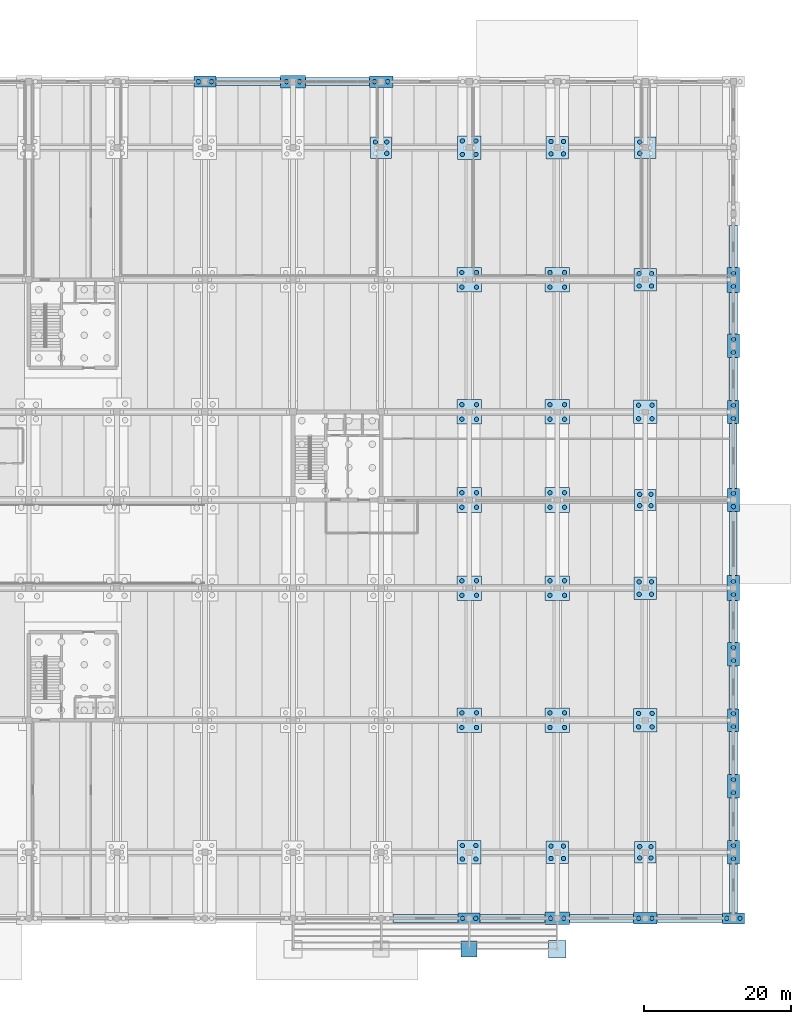
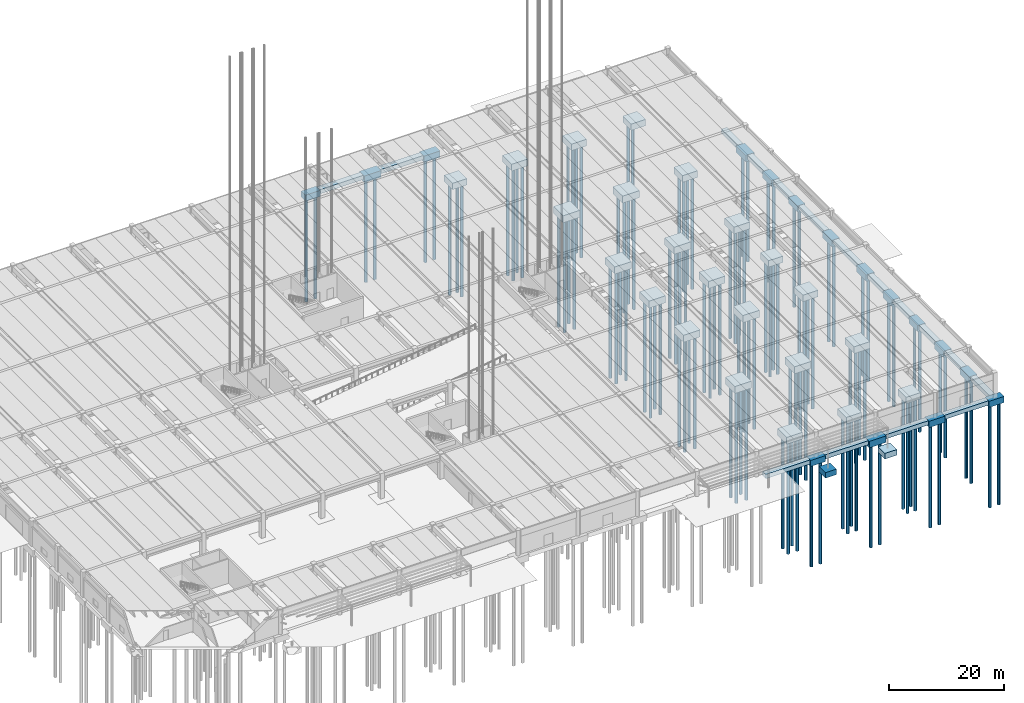
# One storey, part 4 of 59: 117 piles, 56 footings.
"""IFC4 building model written with IfcOpenShell, lengths in metres."""

from ifc_helpers import new_model, si_unit, direction, frame, origin, origin_2d, place, context, subcontext, project, spatial, rectangle, circle, extrude, material, material_profile, profile_set, type_object, element, save


model = new_model("IFC4")

# Units and contexts
model_context = context("Model", 3, precision=1e-05, world=origin(), true_north=direction((0.0, 1.0)))
body_context = subcontext(model_context, "Body", "Model", "MODEL_VIEW")
ifc_project = project(units=[si_unit("LENGTHUNIT", "METRE"), si_unit("AREAUNIT", "SQUARE_METRE"), si_unit("VOLUMEUNIT", "CUBIC_METRE"), si_unit("PLANEANGLEUNIT", "RADIAN"), si_unit("MASSUNIT", "GRAM", prefix="KILO")], contexts=[model_context])

# Site, building, storey
site_placement = place(None, origin())
site = spatial("IfcSite", under=ifc_project, at=site_placement, CompositionType="ELEMENT")
building_placement = place(site_placement, origin())
building = spatial("IfcBuilding", under=site, at=building_placement, Name="Girod Span Mobility Hub", CompositionType="ELEMENT")
storey_placement = place(building_placement, origin())
storey = spatial("IfcBuildingStorey", under=building, at=storey_placement, Name="L00", CompositionType="ELEMENT", Elevation=0.0)

# Footings
ifc_material_1 = material(Name="Concrete C40/50", Category="concrete")
footing_type_1 = type_object("IfcFootingType", Name="FT-PAD-2200", PredefinedType="PAD_FOOTING", material=ifc_material_1)
footing_1_placement = place(storey_placement, frame((132.0, -4.199951171875, -1.14990234375), z_axis=(0.0, 0.0, 1.0), x_axis=(1.0, 0.0, 0.0)))
element("IfcFooting", 1, at=footing_1_placement, inside=storey, type_object=footing_type_1, Name="Boulevard Canopy Pad Footing 7", PredefinedType="PAD_FOOTING", context=body_context, shape_type="SweptSolid", body=[
    extrude(rectangle(XDim=2.199951171875, YDim=2.199951171875, at=origin_2d()), origin(), (0.0, 0.0, 1.0), 1.14990234375),
])
ifc_material_2 = material(Name="Concrete C40/50", Category="concrete")
footing_type_2 = type_object("IfcFootingType", Name="FT-PAD-2400", PredefinedType="PAD_FOOTING", material=ifc_material_2)
footing_2_placement = place(storey_placement, frame((144.0, -4.199951171875, -1.2001953125), z_axis=(0.0, 0.0, 1.0), x_axis=(1.0, 0.0, 0.0)))
element("IfcFooting", 2, at=footing_2_placement, inside=storey, type_object=footing_type_2, Name="Boulevard Canopy Pad Footing 8", PredefinedType="PAD_FOOTING", context=body_context, shape_type="SweptSolid", body=[
    extrude(rectangle(XDim=2.39990234375, YDim=2.39990234375, at=origin_2d()), origin(), (0.0, 0.0, 1.0), 1.199951171875),
])
ifc_material_3 = material(Name="Concrete C40/50", Category="concrete")
footing_type_3 = type_object("IfcFootingType", Name="FT-PC2-1550X3100", PredefinedType="PILE_CAP", material=ifc_material_3)
for number, where, z_axis, x_axis, name in (
    (3, (168.0, 27.0, -1.2998046875), (0.0, 0.0, 1.0), (1.0, 0.0, 0.0), "Pile Cap 15C"),
    (4, (168.0, 69.0, -1.2998046875), (0.0, 0.0, 1.0), (1.0, 0.0, 0.0), "Pile Cap 15F"),
):
    element("IfcFooting", number, at=place(storey_placement, frame(where, z_axis=z_axis, x_axis=x_axis)), inside=storey, type_object=footing_type_3, Name=name, PredefinedType="PILE_CAP", context=body_context, shape_type="SweptSolid", body=[
        extrude(rectangle(XDim=1.550048828125, YDim=3.10009765625, at=origin_2d()), origin(), (0.0, 0.0, 1.0), 1.300048828125),
    ])
ifc_material_4 = material(Name="Concrete C40/50", Category="concrete")
footing_type_4 = type_object("IfcFootingType", Name="FT-PC2-1600X3200", PredefinedType="PILE_CAP", material=ifc_material_4)
for number, where, z_axis, x_axis, name in (
    (5, (168.0, 9.0, -1.35009765625), (0.0, 0.0, 1.0), (1.0, 0.0, 0.0), "Pile Cap 15B"),
    (6, (168.0, 57.0, -1.35009765625), (0.0, 0.0, 1.0), (1.0, 0.0, 0.0), "Pile Cap 15E"),
    (7, (168.0, 18.0, -1.35009765625), (0.0, 0.0, 1.0), (1.0, 0.0, 0.0), "Pilaster Pile Cap PIL-E-18"),
    (8, (168.0, 36.0, -1.35009765625), (0.0, 0.0, 1.0), (1.0, 0.0, 0.0), "Pilaster Pile Cap PIL-E-36"),
    (9, (168.0, 78.0, -1.35009765625), (0.0, 0.0, 1.0), (1.0, 0.0, 0.0), "Pilaster Pile Cap PIL-E-78"),
):
    element("IfcFooting", number, at=place(storey_placement, frame(where, z_axis=z_axis, x_axis=x_axis)), inside=storey, type_object=footing_type_4, Name=name, PredefinedType="PILE_CAP", context=body_context, shape_type="SweptSolid", body=[
        extrude(rectangle(XDim=1.60009765625, YDim=3.199951171875, at=origin_2d()), origin(), (0.0, 0.0, 1.0), 1.35009765625),
    ])
ifc_material_5 = material(Name="Concrete C40/50", Category="concrete")
footing_type_5 = type_object("IfcFootingType", Name="FT-PC2-1700X3400", PredefinedType="PILE_CAP", material=ifc_material_5)
for number, where, z_axis, x_axis, name in (
    (10, (168.0, 45.0, -1.39990234375), (0.0, 0.0, 1.0), (1.0, 0.0, 0.0), "Pile Cap 15D"),
    (11, (168.0, 87.0, -1.39990234375), (0.0, 0.0, 1.0), (1.0, 0.0, 0.0), "Pile Cap 15G"),
):
    element("IfcFooting", number, at=place(storey_placement, frame(where, z_axis=z_axis, x_axis=x_axis)), inside=storey, type_object=footing_type_5, Name=name, PredefinedType="PILE_CAP", context=body_context, shape_type="SweptSolid", body=[
        extrude(rectangle(XDim=1.699951171875, YDim=3.39990234375, at=origin_2d()), origin(), (0.0, 0.0, 1.0), 1.39990234375),
    ])
ifc_material_6 = material(Name="Concrete C40/50", Category="concrete")
footing_type_6 = type_object("IfcFootingType", Name="FT-PC2-3000X1500", PredefinedType="PILE_CAP", material=ifc_material_6)
for number, where, z_axis, x_axis, name in (
    (12, (96.0, 114.0, -1.2998046875), (0.0, 0.0, 1.0), (1.0, 0.0, 0.0), "Pile Cap 9J"),
    (13, (132.0, 0.0, -1.2998046875), (0.0, 0.0, 1.0), (1.0, 0.0, 0.0), "Pile Cap 12A"),
    (14, (168.0, 0.0, -1.2998046875), (0.0, 0.0, 1.0), (1.0, 0.0, 0.0), "Pile Cap 15A"),
):
    element("IfcFooting", number, at=place(storey_placement, frame(where, z_axis=z_axis, x_axis=x_axis)), inside=storey, type_object=footing_type_6, Name=name, PredefinedType="PILE_CAP", context=body_context, shape_type="SweptSolid", body=[
        extrude(rectangle(XDim=3.0, YDim=1.5, at=origin_2d()), origin(), (0.0, 0.0, 1.0), 1.300048828125),
    ])
ifc_material_7 = material(Name="Concrete C40/50", Category="concrete")
footing_type_7 = type_object("IfcFootingType", Name="FT-PC2-3200X1600", PredefinedType="PILE_CAP", material=ifc_material_7)
for number, where, z_axis, x_axis, name in (
    (15, (120.0, 114.0, -1.35009765625), (0.0, 0.0, 1.0), (1.0, 0.0, 0.0), "Pile Cap 11J"),
    (16, (156.0, 0.0, -1.35009765625), (0.0, 0.0, 1.0), (1.0, 0.0, 0.0), "Pile Cap 14A"),
):
    element("IfcFooting", number, at=place(storey_placement, frame(where, z_axis=z_axis, x_axis=x_axis)), inside=storey, type_object=footing_type_7, Name=name, PredefinedType="PILE_CAP", context=body_context, shape_type="SweptSolid", body=[
        extrude(rectangle(XDim=3.199951171875, YDim=1.60009765625, at=origin_2d()), origin(), (0.0, 0.0, 1.0), 1.35009765625),
    ])
ifc_material_8 = material(Name="Concrete C40/50", Category="concrete")
footing_type_8 = type_object("IfcFootingType", Name="FT-PC2-3400X1700", PredefinedType="PILE_CAP", material=ifc_material_8)
for number, where, z_axis, x_axis, name in (
    (17, (108.0, 114.0, -1.39990234375), (0.0, 0.0, 1.0), (1.0, 0.0, 0.0), "Pile Cap 10J"),
    (18, (144.0, 0.0, -1.39990234375), (0.0, 0.0, 1.0), (1.0, 0.0, 0.0), "Pile Cap 13A"),
):
    element("IfcFooting", number, at=place(storey_placement, frame(where, z_axis=z_axis, x_axis=x_axis)), inside=storey, type_object=footing_type_8, Name=name, PredefinedType="PILE_CAP", context=body_context, shape_type="SweptSolid", body=[
        extrude(rectangle(XDim=3.39990234375, YDim=1.699951171875, at=origin_2d()), origin(), (0.0, 0.0, 1.0), 1.39990234375),
    ])
ifc_material_9 = material(Name="Concrete C40/50", Category="concrete")
footing_type_9 = type_object("IfcFootingType", Name="FT-PC4-2900", PredefinedType="PILE_CAP", material=ifc_material_9)
for number, where, z_axis, x_axis, name in (
    (19, (120.0, 105.0, -1.35009765625), (0.0, 0.0, 1.0), (1.0, 0.0, 0.0), "Pile Cap 11H"),
    (20, (156.0, 9.0, -1.35009765625), (0.0, 0.0, 1.0), (1.0, 0.0, 0.0), "Pile Cap 14B"),
    (21, (156.0, 57.0, -1.35009765625), (0.0, 0.0, 1.0), (1.0, 0.0, 0.0), "Pile Cap 14E"),
    (22, (156.0, 105.0, -1.35009765625), (0.0, 0.0, 1.0), (1.0, 0.0, 0.0), "Pile Cap 14H"),
):
    element("IfcFooting", number, at=place(storey_placement, frame(where, z_axis=z_axis, x_axis=x_axis)), inside=storey, type_object=footing_type_9, Name=name, PredefinedType="PILE_CAP", context=body_context, shape_type="SweptSolid", body=[
        extrude(rectangle(XDim=2.89990234375, YDim=2.89990234375, at=origin_2d()), origin(), (0.0, 0.0, 1.0), 1.35009765625),
    ])
ifc_material_10 = material(Name="Concrete C40/50", Category="concrete")
footing_type_10 = type_object("IfcFootingType", Name="FT-PC4-3050", PredefinedType="PILE_CAP", material=ifc_material_10)
for number, where, z_axis, x_axis, name in (
    (23, (144.0, 9.0, -1.39990234375), (0.0, 0.0, 1.0), (1.0, 0.0, 0.0), "Pile Cap 13B"),
    (24, (144.0, 105.0, -1.39990234375), (0.0, 0.0, 1.0), (1.0, 0.0, 0.0), "Pile Cap 13H"),
    (25, (156.0, 45.0, -1.39990234375), (0.0, 0.0, 1.0), (1.0, 0.0, 0.0), "Pile Cap 14D"),
    (26, (156.0, 87.0, -1.39990234375), (0.0, 0.0, 1.0), (1.0, 0.0, 0.0), "Pile Cap 14G"),
):
    element("IfcFooting", number, at=place(storey_placement, frame(where, z_axis=z_axis, x_axis=x_axis)), inside=storey, type_object=footing_type_10, Name=name, PredefinedType="PILE_CAP", context=body_context, shape_type="SweptSolid", body=[
        extrude(rectangle(XDim=3.050048828125, YDim=3.050048828125, at=origin_2d()), origin(), (0.0, 0.0, 1.0), 1.39990234375),
    ])
ifc_material_11 = material(Name="Concrete C40/50", Category="concrete")
footing_type_11 = type_object("IfcFootingType", Name="FT-PC4-3200", PredefinedType="PILE_CAP", material=ifc_material_11)
for number, where, z_axis, x_axis, name in (
    (27, (132.0, 9.0, -1.4501953125), (0.0, 0.0, 1.0), (1.0, 0.0, 0.0), "Pile Cap 12B"),
    (28, (132.0, 105.0, -1.4501953125), (0.0, 0.0, 1.0), (1.0, 0.0, 0.0), "Pile Cap 12H"),
    (29, (156.0, 27.0, -1.4501953125), (0.0, 0.0, 1.0), (1.0, 0.0, 0.0), "Pile Cap 14C"),
    (30, (156.0, 69.0, -1.4501953125), (0.0, 0.0, 1.0), (1.0, 0.0, 0.0), "Pile Cap 14F"),
):
    element("IfcFooting", number, at=place(storey_placement, frame(where, z_axis=z_axis, x_axis=x_axis)), inside=storey, type_object=footing_type_11, Name=name, PredefinedType="PILE_CAP", context=body_context, shape_type="SweptSolid", body=[
        extrude(rectangle(XDim=3.199951171875, YDim=3.199951171875, at=origin_2d()), origin(), (0.0, 0.0, 1.0), 1.449951171875),
    ])
ifc_material_12 = material(Name="Concrete C40/50", Category="concrete")
footing_type_12 = type_object("IfcFootingType", Name="FT-PC4-3350", PredefinedType="PILE_CAP", material=ifc_material_12)
for number, where, z_axis, x_axis, name in (
    (31, (132.0, 27.0, -1.5), (0.0, 0.0, 1.0), (1.0, 0.0, 0.0), "Pile Cap 12C"),
    (32, (132.0, 45.0, -1.5), (0.0, 0.0, 1.0), (1.0, 0.0, 0.0), "Pile Cap 12D"),
    (33, (132.0, 57.0, -1.5), (0.0, 0.0, 1.0), (1.0, 0.0, 0.0), "Pile Cap 12E"),
    (34, (132.0, 69.0, -1.5), (0.0, 0.0, 1.0), (1.0, 0.0, 0.0), "Pile Cap 12F"),
    (35, (132.0, 87.0, -1.5), (0.0, 0.0, 1.0), (1.0, 0.0, 0.0), "Pile Cap 12G"),
    (36, (144.0, 27.0, -1.5), (0.0, 0.0, 1.0), (1.0, 0.0, 0.0), "Pile Cap 13C"),
    (37, (144.0, 45.0, -1.5), (0.0, 0.0, 1.0), (1.0, 0.0, 0.0), "Pile Cap 13D"),
    (38, (144.0, 57.0, -1.5), (0.0, 0.0, 1.0), (1.0, 0.0, 0.0), "Pile Cap 13E"),
    (39, (144.0, 69.0, -1.5), (0.0, 0.0, 1.0), (1.0, 0.0, 0.0), "Pile Cap 13F"),
    (40, (144.0, 87.0, -1.5), (0.0, 0.0, 1.0), (1.0, 0.0, 0.0), "Pile Cap 13G"),
):
    element("IfcFooting", number, at=place(storey_placement, frame(where, z_axis=z_axis, x_axis=x_axis)), inside=storey, type_object=footing_type_12, Name=name, PredefinedType="PILE_CAP", context=body_context, shape_type="SweptSolid", body=[
        extrude(rectangle(XDim=3.35009765625, YDim=3.35009765625, at=origin_2d()), origin(), (0.0, 0.0, 1.0), 1.5),
    ])
ifc_material_13 = material(Name="Concrete C40/50", Category="concrete")
footing_type_13 = type_object("IfcFootingType", Name="FT-SF-X900", PredefinedType="STRIP_FOOTING", material=ifc_material_13)
footing_3_placement = place(storey_placement, frame((126.050048828125, 0.0, -0.89990234375), z_axis=(0.0, 0.0, 1.0), x_axis=(1.0, 0.0, 0.0)))
element("IfcFooting", 41, at=footing_3_placement, inside=storey, type_object=footing_type_13, Name="Perimeter Strip Footing SF-11", PredefinedType="STRIP_FOOTING", context=body_context, shape_type="SweptSolid", body=[
    extrude(rectangle(XDim=8.89990234375, YDim=1.10009765625, at=origin_2d()), origin(), (0.0, 0.0, 1.0), 0.89990234375),
])
footing_4_placement = place(storey_placement, frame((137.89990234375, 0.0, -0.89990234375), z_axis=(0.0, 0.0, 1.0), x_axis=(1.0, 0.0, 0.0)))
element("IfcFooting", 42, at=footing_4_placement, inside=storey, type_object=footing_type_13, Name="Perimeter Strip Footing SF-12", PredefinedType="STRIP_FOOTING", context=body_context, shape_type="SweptSolid", body=[
    extrude(rectangle(XDim=8.800048828125, YDim=1.10009765625, at=origin_2d()), origin(), (0.0, 0.0, 1.0), 0.89990234375),
])
footing_5_placement = place(storey_placement, frame((150.050048828125, 0.0, -0.89990234375), z_axis=(0.0, 0.0, 1.0), x_axis=(1.0, 0.0, 0.0)))
element("IfcFooting", 43, at=footing_5_placement, inside=storey, type_object=footing_type_13, Name="Perimeter Strip Footing SF-13", PredefinedType="STRIP_FOOTING", context=body_context, shape_type="SweptSolid", body=[
    extrude(rectangle(XDim=8.699951171875, YDim=1.10009765625, at=origin_2d()), origin(), (0.0, 0.0, 1.0), 0.89990234375),
])
footing_6_placement = place(storey_placement, frame((162.050048828125, 0.0, -0.89990234375), z_axis=(0.0, 0.0, 1.0), x_axis=(1.0, 0.0, 0.0)))
element("IfcFooting", 44, at=footing_6_placement, inside=storey, type_object=footing_type_13, Name="Perimeter Strip Footing SF-14", PredefinedType="STRIP_FOOTING", context=body_context, shape_type="SweptSolid", body=[
    extrude(rectangle(XDim=8.89990234375, YDim=1.10009765625, at=origin_2d()), origin(), (0.0, 0.0, 1.0), 0.89990234375),
])
footing_7_placement = place(storey_placement, frame((101.89990234375, 114.0, -0.89990234375), z_axis=(0.0, 0.0, 1.0), x_axis=(1.0, 0.0, 0.0)))
element("IfcFooting", 45, at=footing_7_placement, inside=storey, type_object=footing_type_13, Name="Perimeter Strip Footing SF-23", PredefinedType="STRIP_FOOTING", context=body_context, shape_type="SweptSolid", body=[
    extrude(rectangle(XDim=8.800048828125, YDim=1.10009765625, at=origin_2d()), origin(), (0.0, 0.0, 1.0), 0.89990234375),
])
footing_8_placement = place(storey_placement, frame((114.050048828125, 114.0, -0.89990234375), z_axis=(0.0, 0.0, 1.0), x_axis=(1.0, 0.0, 0.0)))
element("IfcFooting", 46, at=footing_8_placement, inside=storey, type_object=footing_type_13, Name="Perimeter Strip Footing SF-24", PredefinedType="STRIP_FOOTING", context=body_context, shape_type="SweptSolid", body=[
    extrude(rectangle(XDim=8.699951171875, YDim=1.10009765625, at=origin_2d()), origin(), (0.0, 0.0, 1.0), 0.89990234375),
])
ifc_material_14 = material(Name="Concrete C40/50", Category="concrete")
footing_type_14 = type_object("IfcFootingType", Name="FT-SF-Y850", PredefinedType="STRIP_FOOTING", material=ifc_material_14)
footing_9_placement = place(storey_placement, frame((168.0, 51.050048828125, -0.85009765625), z_axis=(0.0, 0.0, 1.0), x_axis=(1.0, 0.0, 0.0)))
element("IfcFooting", 47, at=footing_9_placement, inside=storey, type_object=footing_type_14, Name="Perimeter Strip Footing SF-46", PredefinedType="STRIP_FOOTING", context=body_context, shape_type="SweptSolid", body=[
    extrude(rectangle(XDim=1.050048828125, YDim=8.699951171875, at=origin_2d()), origin(), (0.0, 0.0, 1.0), 0.85009765625),
])
footing_10_placement = place(storey_placement, frame((168.0, 63.02490234375, -0.85009765625), z_axis=(0.0, 0.0, 1.0), x_axis=(1.0, 0.0, 0.0)))
element("IfcFooting", 48, at=footing_10_placement, inside=storey, type_object=footing_type_14, Name="Perimeter Strip Footing SF-47", PredefinedType="STRIP_FOOTING", context=body_context, shape_type="SweptSolid", body=[
    extrude(rectangle(XDim=1.050048828125, YDim=8.85009765625, at=origin_2d()), origin(), (0.0, 0.0, 1.0), 0.85009765625),
])
ifc_material_15 = material(Name="Concrete C40/50", Category="concrete")
footing_type_15 = type_object("IfcFootingType", Name="FT-SF-Y900", PredefinedType="STRIP_FOOTING", material=ifc_material_15)
footing_11_placement = place(storey_placement, frame((168.0, 4.074951171875, -0.89990234375), z_axis=(0.0, 0.0, 1.0), x_axis=(1.0, 0.0, 0.0)))
element("IfcFooting", 49, at=footing_11_placement, inside=storey, type_object=footing_type_15, Name="Perimeter Strip Footing SF-41", PredefinedType="STRIP_FOOTING", context=body_context, shape_type="SweptSolid", body=[
    extrude(rectangle(XDim=1.10009765625, YDim=6.64990234375, at=origin_2d()), origin(), (0.0, 0.0, 1.0), 0.89990234375),
])
footing_12_placement = place(storey_placement, frame((168.0, 13.5, -0.89990234375), z_axis=(0.0, 0.0, 1.0), x_axis=(1.0, 0.0, 0.0)))
element("IfcFooting", 50, at=footing_12_placement, inside=storey, type_object=footing_type_15, Name="Perimeter Strip Footing SF-42", PredefinedType="STRIP_FOOTING", context=body_context, shape_type="SweptSolid", body=[
    extrude(rectangle(XDim=1.10009765625, YDim=5.800048828125, at=origin_2d()), origin(), (0.0, 0.0, 1.0), 0.89990234375),
])
for number, where, z_axis, x_axis, name in (
    (51, (168.0, 22.52490234375, -0.89990234375), (0.0, 0.0, 1.0), (1.0, 0.0, 0.0), "Perimeter Strip Footing SF-43"),
    (52, (168.0, 31.47509765625, -0.89990234375), (0.0, 0.0, 1.0), (1.0, 0.0, 0.0), "Perimeter Strip Footing SF-44"),
):
    element("IfcFooting", number, at=place(storey_placement, frame(where, z_axis=z_axis, x_axis=x_axis)), inside=storey, type_object=footing_type_15, Name=name, PredefinedType="STRIP_FOOTING", context=body_context, shape_type="SweptSolid", body=[
        extrude(rectangle(XDim=1.10009765625, YDim=5.85009765625, at=origin_2d()), origin(), (0.0, 0.0, 1.0), 0.89990234375),
    ])
footing_13_placement = place(storey_placement, frame((168.0, 40.449951171875, -0.89990234375), z_axis=(0.0, 0.0, 1.0), x_axis=(1.0, 0.0, 0.0)))
element("IfcFooting", 53, at=footing_13_placement, inside=storey, type_object=footing_type_15, Name="Perimeter Strip Footing SF-45", PredefinedType="STRIP_FOOTING", context=body_context, shape_type="SweptSolid", body=[
    extrude(rectangle(XDim=1.10009765625, YDim=5.699951171875, at=origin_2d()), origin(), (0.0, 0.0, 1.0), 0.89990234375),
])
footing_14_placement = place(storey_placement, frame((168.0, 73.47509765625, -0.89990234375), z_axis=(0.0, 0.0, 1.0), x_axis=(1.0, 0.0, 0.0)))
element("IfcFooting", 54, at=footing_14_placement, inside=storey, type_object=footing_type_15, Name="Perimeter Strip Footing SF-48", PredefinedType="STRIP_FOOTING", context=body_context, shape_type="SweptSolid", body=[
    extrude(rectangle(XDim=1.10009765625, YDim=5.85009765625, at=origin_2d()), origin(), (0.0, 0.0, 1.0), 0.89990234375),
])
for number, where, z_axis, x_axis, name in (
    (55, (168.0, 82.449951171875, -0.89990234375), (0.0, 0.0, 1.0), (1.0, 0.0, 0.0), "Perimeter Strip Footing SF-49"),
    (56, (168.0, 91.550048828125, -0.89990234375), (0.0, 0.0, 1.0), (1.0, 0.0, 0.0), "Perimeter Strip Footing SF-50"),
):
    element("IfcFooting", number, at=place(storey_placement, frame(where, z_axis=z_axis, x_axis=x_axis)), inside=storey, type_object=footing_type_15, Name=name, PredefinedType="STRIP_FOOTING", context=body_context, shape_type="SweptSolid", body=[
        extrude(rectangle(XDim=1.10009765625, YDim=5.699951171875, at=origin_2d()), origin(), (0.0, 0.0, 1.0), 0.89990234375),
    ])

# Piles
ifc_material_16 = material(Name="Concrete C40/50", Category="concrete")
ifc_material_profile_1 = material_profile(ifc_material_16, circle(Radius=0.300048828125, at=origin_2d()), Name="PILE-D600")
ifc_profile_set_1 = profile_set([ifc_material_profile_1], Name="Concrete C40/50")
pile_type_1 = type_object("IfcPileType", Name="PL-D600-22M", PredefinedType="DRIVEN", material=ifc_profile_set_1)
for number, where, z_axis, x_axis, name in (
    (57, (95.10009765625, 114.0, -1.199951171875), (0.0, 0.0, -1.0), (1.0, 0.0, 0.0), "Driven Pile 9J-1"),
    (58, (96.89990234375, 114.0, -1.199951171875), (0.0, 0.0, -1.0), (1.0, 0.0, 0.0), "Driven Pile 9J-2"),
    (59, (107.10009765625, 114.0, -1.300048828125), (0.0, 0.0, -1.0), (1.0, 0.0, 0.0), "Driven Pile 10J-1"),
    (60, (108.89990234375, 114.0, -1.300048828125), (0.0, 0.0, -1.0), (1.0, 0.0, 0.0), "Driven Pile 10J-2"),
    (61, (119.10009765625, 114.0, -1.25), (0.0, 0.0, -1.0), (1.0, 0.0, 0.0), "Driven Pile 11J-1"),
    (62, (120.89990234375, 114.0, -1.25), (0.0, 0.0, -1.0), (1.0, 0.0, 0.0), "Driven Pile 11J-2"),
    (63, (131.10009765625, 0.0, -1.199951171875), (0.0, 0.0, -1.0), (1.0, 0.0, 0.0), "Driven Pile 12A-1"),
    (64, (132.89990234375, 0.0, -1.199951171875), (0.0, 0.0, -1.0), (1.0, 0.0, 0.0), "Driven Pile 12A-2"),
    (65, (143.10009765625, 0.0, -1.300048828125), (0.0, 0.0, -1.0), (1.0, 0.0, 0.0), "Driven Pile 13A-1"),
    (66, (144.89990234375, 0.0, -1.300048828125), (0.0, 0.0, -1.0), (1.0, 0.0, 0.0), "Driven Pile 13A-2"),
    (67, (155.10009765625, 0.0, -1.25), (0.0, 0.0, -1.0), (1.0, 0.0, 0.0), "Driven Pile 14A-1"),
    (68, (156.89990234375, 0.0, -1.25), (0.0, 0.0, -1.0), (1.0, 0.0, 0.0), "Driven Pile 14A-2"),
    (69, (167.10009765625, 0.0, -1.199951171875), (0.0, 0.0, -1.0), (1.0, 0.0, 0.0), "Driven Pile 15A-1"),
    (70, (168.89990234375, 0.0, -1.199951171875), (0.0, 0.0, -1.0), (1.0, 0.0, 0.0), "Driven Pile 15A-2"),
    (71, (168.0, 8.10009765625, -1.25), (0.0, 0.0, -1.0), (1.0, 0.0, 0.0), "Driven Pile 15B-1"),
    (72, (168.0, 9.89990234375, -1.25), (0.0, 0.0, -1.0), (1.0, 0.0, 0.0), "Driven Pile 15B-2"),
    (73, (168.0, 26.10009765625, -1.199951171875), (0.0, 0.0, -1.0), (1.0, 0.0, 0.0), "Driven Pile 15C-1"),
    (74, (168.0, 27.89990234375, -1.199951171875), (0.0, 0.0, -1.0), (1.0, 0.0, 0.0), "Driven Pile 15C-2"),
    (75, (168.0, 44.10009765625, -1.300048828125), (0.0, 0.0, -1.0), (1.0, 0.0, 0.0), "Driven Pile 15D-1"),
    (76, (168.0, 45.89990234375, -1.300048828125), (0.0, 0.0, -1.0), (1.0, 0.0, 0.0), "Driven Pile 15D-2"),
    (77, (168.0, 56.10009765625, -1.25), (0.0, 0.0, -1.0), (1.0, 0.0, 0.0), "Driven Pile 15E-1"),
    (78, (168.0, 57.89990234375, -1.25), (0.0, 0.0, -1.0), (1.0, 0.0, 0.0), "Driven Pile 15E-2"),
    (79, (168.0, 68.10009765625, -1.199951171875), (0.0, 0.0, -1.0), (1.0, 0.0, 0.0), "Driven Pile 15F-1"),
    (80, (168.0, 69.89990234375, -1.199951171875), (0.0, 0.0, -1.0), (1.0, 0.0, 0.0), "Driven Pile 15F-2"),
    (81, (168.0, 86.10009765625, -1.300048828125), (0.0, 0.0, -1.0), (1.0, 0.0, 0.0), "Driven Pile 15G-1"),
    (82, (168.0, 87.89990234375, -1.300048828125), (0.0, 0.0, -1.0), (1.0, 0.0, 0.0), "Driven Pile 15G-2"),
    (83, (168.0, 17.10009765625, -1.25), (0.0, 0.0, -1.0), (1.0, 0.0, 0.0), "Pilaster Driven Pile PIL-E-18-1"),
    (84, (168.0, 18.89990234375, -1.25), (0.0, 0.0, -1.0), (1.0, 0.0, 0.0), "Pilaster Driven Pile PIL-E-18-2"),
    (85, (168.0, 35.10009765625, -1.25), (0.0, 0.0, -1.0), (1.0, 0.0, 0.0), "Pilaster Driven Pile PIL-E-36-1"),
    (86, (168.0, 36.89990234375, -1.25), (0.0, 0.0, -1.0), (1.0, 0.0, 0.0), "Pilaster Driven Pile PIL-E-36-2"),
    (87, (168.0, 77.10009765625, -1.25), (0.0, 0.0, -1.0), (1.0, 0.0, 0.0), "Pilaster Driven Pile PIL-E-78-1"),
    (88, (168.0, 78.89990234375, -1.25), (0.0, 0.0, -1.0), (1.0, 0.0, 0.0), "Pilaster Driven Pile PIL-E-78-2"),
):
    element("IfcPile", number, at=place(storey_placement, frame(where, z_axis=z_axis, x_axis=x_axis)), inside=storey, type_object=pile_type_1, Name=name, PredefinedType="DRIVEN", context=body_context, shape_type="SweptSolid", body=[
        extrude(circle(Radius=0.300048828125, at=origin_2d()), origin(), (0.0, 0.0, 1.0), 22.0),
    ])
ifc_material_17 = material(Name="Concrete C40/50", Category="concrete")
ifc_material_profile_2 = material_profile(ifc_material_17, circle(Radius=0.300048828125, at=origin_2d()), Name="PILE-D600")
ifc_profile_set_2 = profile_set([ifc_material_profile_2], Name="Concrete C40/50")
pile_type_2 = type_object("IfcPileType", Name="PL-D600-24M", PredefinedType="DRIVEN", material=ifc_profile_set_2)
for number, where, z_axis, x_axis, name in (
    (89, (120.77001953125, 104.22998046875, -1.25), (0.0, 0.0, -1.0), (1.0, 0.0, 0.0), "Driven Pile 11H-2"),
    (90, (119.22998046875, 105.77001953125, -1.25), (0.0, 0.0, -1.0), (1.0, 0.0, 0.0), "Driven Pile 11H-3"),
    (91, (120.77001953125, 105.77001953125, -1.25), (0.0, 0.0, -1.0), (1.0, 0.0, 0.0), "Driven Pile 11H-4"),
    (92, (131.080078125, 8.080078125, -1.35009765625), (0.0, 0.0, -1.0), (1.0, 0.0, 0.0), "Driven Pile 12B-1"),
    (93, (132.919921875, 8.080078125, -1.35009765625), (0.0, 0.0, -1.0), (1.0, 0.0, 0.0), "Driven Pile 12B-2"),
    (94, (131.080078125, 9.919921875, -1.35009765625), (0.0, 0.0, -1.0), (1.0, 0.0, 0.0), "Driven Pile 12B-3"),
    (95, (132.919921875, 9.919921875, -1.35009765625), (0.0, 0.0, -1.0), (1.0, 0.0, 0.0), "Driven Pile 12B-4"),
    (96, (131.0048828125, 26.0048828125, -1.39990234375), (0.0, 0.0, -1.0), (1.0, 0.0, 0.0), "Driven Pile 12C-1"),
    (97, (132.9951171875, 26.0048828125, -1.39990234375), (0.0, 0.0, -1.0), (1.0, 0.0, 0.0), "Driven Pile 12C-2"),
    (98, (131.0048828125, 27.9951171875, -1.39990234375), (0.0, 0.0, -1.0), (1.0, 0.0, 0.0), "Driven Pile 12C-3"),
    (99, (132.9951171875, 27.9951171875, -1.39990234375), (0.0, 0.0, -1.0), (1.0, 0.0, 0.0), "Driven Pile 12C-4"),
    (100, (131.0048828125, 44.0048828125, -1.39990234375), (0.0, 0.0, -1.0), (1.0, 0.0, 0.0), "Driven Pile 12D-1"),
    (101, (132.9951171875, 44.0048828125, -1.39990234375), (0.0, 0.0, -1.0), (1.0, 0.0, 0.0), "Driven Pile 12D-2"),
    (102, (131.0048828125, 45.9951171875, -1.39990234375), (0.0, 0.0, -1.0), (1.0, 0.0, 0.0), "Driven Pile 12D-3"),
    (103, (132.9951171875, 45.9951171875, -1.39990234375), (0.0, 0.0, -1.0), (1.0, 0.0, 0.0), "Driven Pile 12D-4"),
    (104, (131.0048828125, 56.0048828125, -1.39990234375), (0.0, 0.0, -1.0), (1.0, 0.0, 0.0), "Driven Pile 12E-1"),
    (105, (132.9951171875, 56.0048828125, -1.39990234375), (0.0, 0.0, -1.0), (1.0, 0.0, 0.0), "Driven Pile 12E-2"),
    (106, (131.0048828125, 57.9951171875, -1.39990234375), (0.0, 0.0, -1.0), (1.0, 0.0, 0.0), "Driven Pile 12E-3"),
    (107, (132.9951171875, 57.9951171875, -1.39990234375), (0.0, 0.0, -1.0), (1.0, 0.0, 0.0), "Driven Pile 12E-4"),
    (108, (131.0048828125, 68.0048828125, -1.39990234375), (0.0, 0.0, -1.0), (1.0, 0.0, 0.0), "Driven Pile 12F-1"),
    (109, (132.9951171875, 68.0048828125, -1.39990234375), (0.0, 0.0, -1.0), (1.0, 0.0, 0.0), "Driven Pile 12F-2"),
    (110, (131.0048828125, 69.9951171875, -1.39990234375), (0.0, 0.0, -1.0), (1.0, 0.0, 0.0), "Driven Pile 12F-3"),
    (111, (132.9951171875, 69.9951171875, -1.39990234375), (0.0, 0.0, -1.0), (1.0, 0.0, 0.0), "Driven Pile 12F-4"),
    (112, (131.0048828125, 86.0048828125, -1.39990234375), (0.0, 0.0, -1.0), (1.0, 0.0, 0.0), "Driven Pile 12G-1"),
    (113, (132.9951171875, 86.0048828125, -1.39990234375), (0.0, 0.0, -1.0), (1.0, 0.0, 0.0), "Driven Pile 12G-2"),
    (114, (131.0048828125, 87.9951171875, -1.39990234375), (0.0, 0.0, -1.0), (1.0, 0.0, 0.0), "Driven Pile 12G-3"),
    (115, (132.9951171875, 87.9951171875, -1.39990234375), (0.0, 0.0, -1.0), (1.0, 0.0, 0.0), "Driven Pile 12G-4"),
    (116, (131.080078125, 104.080078125, -1.35009765625), (0.0, 0.0, -1.0), (1.0, 0.0, 0.0), "Driven Pile 12H-1"),
    (117, (132.919921875, 104.080078125, -1.35009765625), (0.0, 0.0, -1.0), (1.0, 0.0, 0.0), "Driven Pile 12H-2"),
    (118, (131.080078125, 105.919921875, -1.35009765625), (0.0, 0.0, -1.0), (1.0, 0.0, 0.0), "Driven Pile 12H-3"),
    (119, (132.919921875, 105.919921875, -1.35009765625), (0.0, 0.0, -1.0), (1.0, 0.0, 0.0), "Driven Pile 12H-4"),
    (120, (143.155029296875, 8.155029296875, -1.300048828125), (0.0, 0.0, -1.0), (1.0, 0.0, 0.0), "Driven Pile 13B-1"),
    (121, (144.844970703125, 8.155029296875, -1.300048828125), (0.0, 0.0, -1.0), (1.0, 0.0, 0.0), "Driven Pile 13B-2"),
    (122, (143.155029296875, 9.844970703125, -1.300048828125), (0.0, 0.0, -1.0), (1.0, 0.0, 0.0), "Driven Pile 13B-3"),
    (123, (144.844970703125, 9.844970703125, -1.300048828125), (0.0, 0.0, -1.0), (1.0, 0.0, 0.0), "Driven Pile 13B-4"),
    (124, (143.0048828125, 26.0048828125, -1.39990234375), (0.0, 0.0, -1.0), (1.0, 0.0, 0.0), "Driven Pile 13C-1"),
    (125, (144.9951171875, 26.0048828125, -1.39990234375), (0.0, 0.0, -1.0), (1.0, 0.0, 0.0), "Driven Pile 13C-2"),
    (126, (143.0048828125, 27.9951171875, -1.39990234375), (0.0, 0.0, -1.0), (1.0, 0.0, 0.0), "Driven Pile 13C-3"),
    (127, (144.9951171875, 27.9951171875, -1.39990234375), (0.0, 0.0, -1.0), (1.0, 0.0, 0.0), "Driven Pile 13C-4"),
    (128, (143.0048828125, 44.0048828125, -1.39990234375), (0.0, 0.0, -1.0), (1.0, 0.0, 0.0), "Driven Pile 13D-1"),
    (129, (144.9951171875, 44.0048828125, -1.39990234375), (0.0, 0.0, -1.0), (1.0, 0.0, 0.0), "Driven Pile 13D-2"),
    (130, (143.0048828125, 45.9951171875, -1.39990234375), (0.0, 0.0, -1.0), (1.0, 0.0, 0.0), "Driven Pile 13D-3"),
    (131, (144.9951171875, 45.9951171875, -1.39990234375), (0.0, 0.0, -1.0), (1.0, 0.0, 0.0), "Driven Pile 13D-4"),
    (132, (143.0048828125, 56.0048828125, -1.39990234375), (0.0, 0.0, -1.0), (1.0, 0.0, 0.0), "Driven Pile 13E-1"),
    (133, (144.9951171875, 56.0048828125, -1.39990234375), (0.0, 0.0, -1.0), (1.0, 0.0, 0.0), "Driven Pile 13E-2"),
    (134, (143.0048828125, 57.9951171875, -1.39990234375), (0.0, 0.0, -1.0), (1.0, 0.0, 0.0), "Driven Pile 13E-3"),
    (135, (144.9951171875, 57.9951171875, -1.39990234375), (0.0, 0.0, -1.0), (1.0, 0.0, 0.0), "Driven Pile 13E-4"),
    (136, (143.0048828125, 68.0048828125, -1.39990234375), (0.0, 0.0, -1.0), (1.0, 0.0, 0.0), "Driven Pile 13F-1"),
    (137, (144.9951171875, 68.0048828125, -1.39990234375), (0.0, 0.0, -1.0), (1.0, 0.0, 0.0), "Driven Pile 13F-2"),
    (138, (143.0048828125, 69.9951171875, -1.39990234375), (0.0, 0.0, -1.0), (1.0, 0.0, 0.0), "Driven Pile 13F-3"),
    (139, (144.9951171875, 69.9951171875, -1.39990234375), (0.0, 0.0, -1.0), (1.0, 0.0, 0.0), "Driven Pile 13F-4"),
    (140, (143.0048828125, 86.0048828125, -1.39990234375), (0.0, 0.0, -1.0), (1.0, 0.0, 0.0), "Driven Pile 13G-1"),
    (141, (144.9951171875, 86.0048828125, -1.39990234375), (0.0, 0.0, -1.0), (1.0, 0.0, 0.0), "Driven Pile 13G-2"),
    (142, (143.0048828125, 87.9951171875, -1.39990234375), (0.0, 0.0, -1.0), (1.0, 0.0, 0.0), "Driven Pile 13G-3"),
    (143, (144.9951171875, 87.9951171875, -1.39990234375), (0.0, 0.0, -1.0), (1.0, 0.0, 0.0), "Driven Pile 13G-4"),
    (144, (143.155029296875, 104.155029296875, -1.300048828125), (0.0, 0.0, -1.0), (1.0, 0.0, 0.0), "Driven Pile 13H-1"),
    (145, (144.844970703125, 104.155029296875, -1.300048828125), (0.0, 0.0, -1.0), (1.0, 0.0, 0.0), "Driven Pile 13H-2"),
    (146, (143.155029296875, 105.844970703125, -1.300048828125), (0.0, 0.0, -1.0), (1.0, 0.0, 0.0), "Driven Pile 13H-3"),
    (147, (144.844970703125, 105.844970703125, -1.300048828125), (0.0, 0.0, -1.0), (1.0, 0.0, 0.0), "Driven Pile 13H-4"),
    (148, (155.22998046875, 8.22998046875, -1.25), (0.0, 0.0, -1.0), (1.0, 0.0, 0.0), "Driven Pile 14B-1"),
    (149, (156.77001953125, 8.22998046875, -1.25), (0.0, 0.0, -1.0), (1.0, 0.0, 0.0), "Driven Pile 14B-2"),
    (150, (155.22998046875, 9.77001953125, -1.25), (0.0, 0.0, -1.0), (1.0, 0.0, 0.0), "Driven Pile 14B-3"),
    (151, (156.77001953125, 9.77001953125, -1.25), (0.0, 0.0, -1.0), (1.0, 0.0, 0.0), "Driven Pile 14B-4"),
    (152, (155.080078125, 26.080078125, -1.35009765625), (0.0, 0.0, -1.0), (1.0, 0.0, 0.0), "Driven Pile 14C-1"),
    (153, (156.919921875, 26.080078125, -1.35009765625), (0.0, 0.0, -1.0), (1.0, 0.0, 0.0), "Driven Pile 14C-2"),
    (154, (155.080078125, 27.919921875, -1.35009765625), (0.0, 0.0, -1.0), (1.0, 0.0, 0.0), "Driven Pile 14C-3"),
    (155, (156.919921875, 27.919921875, -1.35009765625), (0.0, 0.0, -1.0), (1.0, 0.0, 0.0), "Driven Pile 14C-4"),
    (156, (155.155029296875, 44.155029296875, -1.300048828125), (0.0, 0.0, -1.0), (1.0, 0.0, 0.0), "Driven Pile 14D-1"),
    (157, (156.844970703125, 44.155029296875, -1.300048828125), (0.0, 0.0, -1.0), (1.0, 0.0, 0.0), "Driven Pile 14D-2"),
    (158, (155.155029296875, 45.844970703125, -1.300048828125), (0.0, 0.0, -1.0), (1.0, 0.0, 0.0), "Driven Pile 14D-3"),
    (159, (156.844970703125, 45.844970703125, -1.300048828125), (0.0, 0.0, -1.0), (1.0, 0.0, 0.0), "Driven Pile 14D-4"),
    (160, (155.22998046875, 56.22998046875, -1.25), (0.0, 0.0, -1.0), (1.0, 0.0, 0.0), "Driven Pile 14E-1"),
    (161, (156.77001953125, 56.22998046875, -1.25), (0.0, 0.0, -1.0), (1.0, 0.0, 0.0), "Driven Pile 14E-2"),
    (162, (155.22998046875, 57.77001953125, -1.25), (0.0, 0.0, -1.0), (1.0, 0.0, 0.0), "Driven Pile 14E-3"),
    (163, (156.77001953125, 57.77001953125, -1.25), (0.0, 0.0, -1.0), (1.0, 0.0, 0.0), "Driven Pile 14E-4"),
    (164, (155.080078125, 68.080078125, -1.35009765625), (0.0, 0.0, -1.0), (1.0, 0.0, 0.0), "Driven Pile 14F-1"),
    (165, (156.919921875, 68.080078125, -1.35009765625), (0.0, 0.0, -1.0), (1.0, 0.0, 0.0), "Driven Pile 14F-2"),
    (166, (155.080078125, 69.919921875, -1.35009765625), (0.0, 0.0, -1.0), (1.0, 0.0, 0.0), "Driven Pile 14F-3"),
    (167, (156.919921875, 69.919921875, -1.35009765625), (0.0, 0.0, -1.0), (1.0, 0.0, 0.0), "Driven Pile 14F-4"),
    (168, (155.155029296875, 86.155029296875, -1.300048828125), (0.0, 0.0, -1.0), (1.0, 0.0, 0.0), "Driven Pile 14G-1"),
    (169, (156.844970703125, 86.155029296875, -1.300048828125), (0.0, 0.0, -1.0), (1.0, 0.0, 0.0), "Driven Pile 14G-2"),
    (170, (155.155029296875, 87.844970703125, -1.300048828125), (0.0, 0.0, -1.0), (1.0, 0.0, 0.0), "Driven Pile 14G-3"),
    (171, (156.844970703125, 87.844970703125, -1.300048828125), (0.0, 0.0, -1.0), (1.0, 0.0, 0.0), "Driven Pile 14G-4"),
    (172, (155.22998046875, 104.22998046875, -1.25), (0.0, 0.0, -1.0), (1.0, 0.0, 0.0), "Driven Pile 14H-1"),
    (173, (155.22998046875, 105.77001953125, -1.25), (0.0, 0.0, -1.0), (1.0, 0.0, 0.0), "Driven Pile 14H-3"),
):
    element("IfcPile", number, at=place(storey_placement, frame(where, z_axis=z_axis, x_axis=x_axis)), inside=storey, type_object=pile_type_2, Name=name, PredefinedType="DRIVEN", context=body_context, shape_type="SweptSolid", body=[
        extrude(circle(Radius=0.300048828125, at=origin_2d()), origin(), (0.0, 0.0, 1.0), 24.0),
    ])

save(model, "model.ifc")
